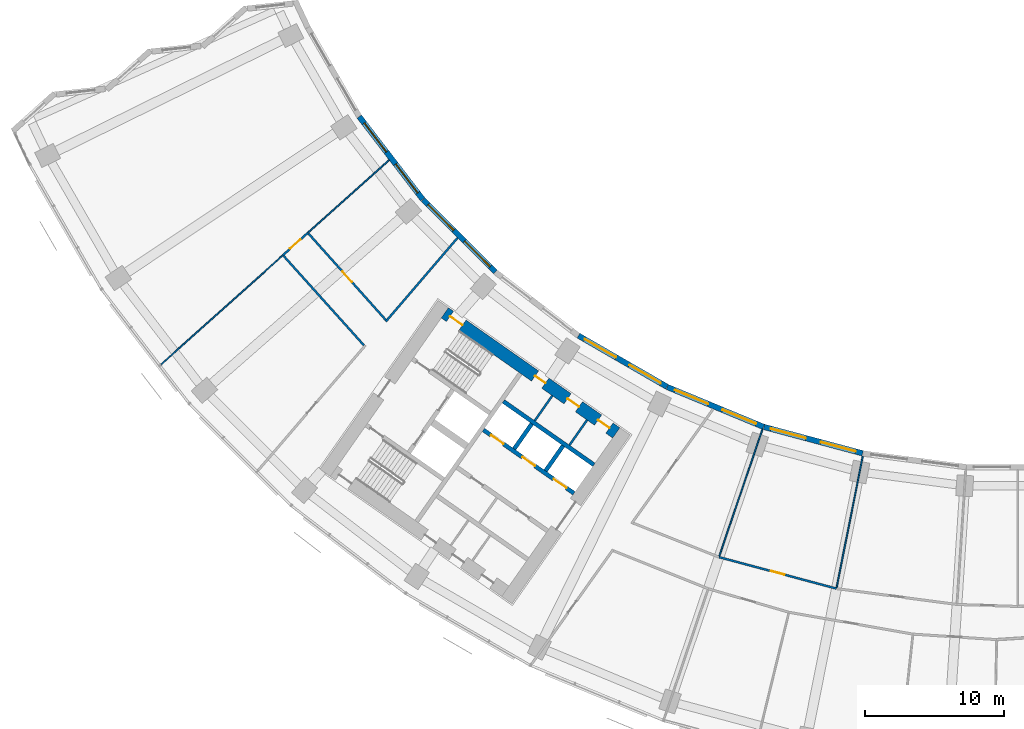
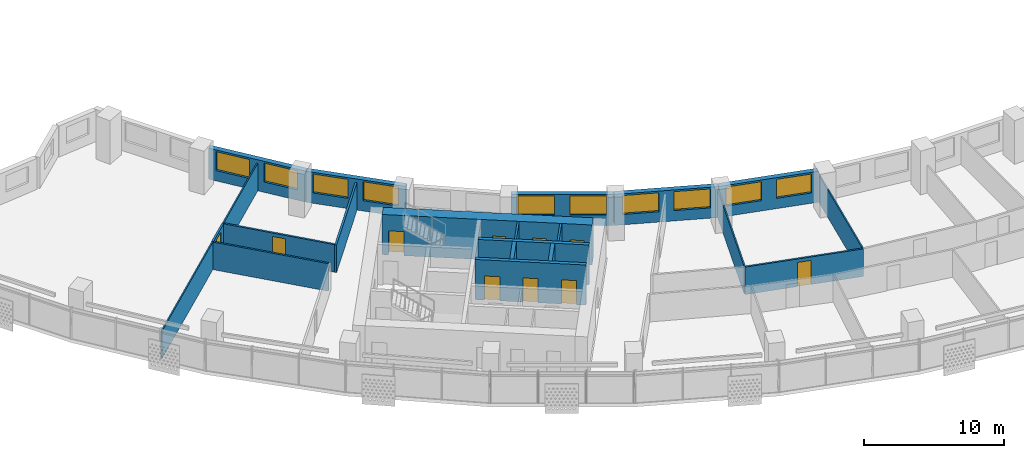
# One storey, part 4 of 29: 21 walls, 10 doors, 10 windows, 20 openings.
"""IFC4 building model written with IfcOpenShell, lengths in metres."""

from ifc_helpers import new_model, si_unit, direction, frame, frame_2d, origin, place, context, subcontext, project, spatial, rectangle, extrude, material, layer, layer_set, type_object, element, fill, save


model = new_model("IFC4")

# Units and contexts
model_context = context("Model", 3, precision=1e-05, world=origin(), true_north=direction((0.0, 1.0)))
body_context = subcontext(model_context, "Body", "Model", "MODEL_VIEW")
ifc_project = project(units=[si_unit("LENGTHUNIT", "METRE"), si_unit("AREAUNIT", "SQUARE_METRE"), si_unit("VOLUMEUNIT", "CUBIC_METRE"), si_unit("PLANEANGLEUNIT", "RADIAN"), si_unit("MASSUNIT", "GRAM", prefix="KILO")], contexts=[model_context])

# Site, building, storey
site_placement = place(None, origin())
site = spatial("IfcSite", under=ifc_project, at=site_placement, CompositionType="ELEMENT")
building_placement = place(site_placement, origin())
building = spatial("IfcBuilding", under=site, at=building_placement, Name="Qamariyya Broadcast Tower", CompositionType="ELEMENT")
storey_placement = place(building_placement, frame((0.0, 0.0, 121.5)))
storey = spatial("IfcBuildingStorey", under=building, at=storey_placement, Name="L27", CompositionType="ELEMENT", Elevation=121.5)

# Wall, openings, doors
ifc_material_1 = material(Name="Concrete C70/85", Category="concrete")
ifc_layer_1 = layer(ifc_material_1, 0.89990234375)
ifc_layer_set_1 = layer_set([ifc_layer_1], Name="Core wall 900 mm Concrete C70/85")
wall_type_1 = type_object("IfcWallType", Name="Core wall 900 mm Concrete C70/85", PredefinedType="SHEAR", material=ifc_layer_set_1)
wall_1_placement = place(storey_placement, frame((-28.8544921875, -54.32421875, 0.0), z_axis=(0.0, 0.0, 1.0), x_axis=(-0.819145767589, 0.573585400304, 0.0)))
wall_1 = element("IfcWall", 1, at=wall_1_placement, inside=storey, type_object=wall_type_1, Name="k-W-L27-WI", PredefinedType="SHEAR", context=body_context, shape_type="SweptSolid", body=[
    extrude(rectangle(XDim=15.04541015625, YDim=0.89990234375, at=frame_2d((7.522705078125, 0.0))), origin(), (0.0, 0.0, 1.0), 3.5),
])
opening_1_placement = place(wall_1_placement, frame((0.60009765625, 0.0, 0.0)))
opening_1 = element("IfcOpeningElement", 2, at=opening_1_placement, cuts=wall_1, Name="Opening KD7-W1", PredefinedType="OPENING", context=body_context, shape_type="SweptSolid", body=[
    extrude(rectangle(XDim=1.0, YDim=2.10009765625, at=frame_2d((0.5, 1.050048828125))), frame((0.0, 0.4599609375, 0.0), z_axis=(0.0, -1.0, 0.0), x_axis=(1.0, 0.0, 0.0)), (0.0, 0.0, 1.0), 0.919921875),
])
opening_2_placement = place(wall_1_placement, frame((3.27490234375, 0.0, 0.0)))
opening_2 = element("IfcOpeningElement", 3, at=opening_2_placement, cuts=wall_1, Name="Opening KD6-W2", PredefinedType="OPENING", context=body_context, shape_type="SweptSolid", body=[
    extrude(rectangle(XDim=1.0, YDim=2.10009765625, at=frame_2d((0.5, 1.050048828125))), frame((0.0, 0.4599609375, 0.0), z_axis=(0.0, -1.0, 0.0), x_axis=(1.0, 0.0, 0.0)), (0.0, 0.0, 1.0), 0.919921875),
])
opening_3_placement = place(wall_1_placement, frame((6.22509765625, 0.0, 0.0)))
opening_3 = element("IfcOpeningElement", 4, at=opening_3_placement, cuts=wall_1, Name="Opening KD5-W1", PredefinedType="OPENING", context=body_context, shape_type="SweptSolid", body=[
    extrude(rectangle(XDim=0.89990234375, YDim=2.10009765625, at=frame_2d((0.449951171875, 1.050048828125))), frame((0.0, 0.4599609375, 0.0), z_axis=(0.0, -1.0, 0.0), x_axis=(1.0, 0.0, 0.0)), (0.0, 0.0, 1.0), 0.919921875),
])
opening_4_placement = place(wall_1_placement, frame((13.495361328125, 0.0, 0.0)))
opening_4 = element("IfcOpeningElement", 5, at=opening_4_placement, cuts=wall_1, Name="Opening KD1-W1", PredefinedType="OPENING", context=body_context, shape_type="SweptSolid", body=[
    extrude(rectangle(XDim=1.10009765625, YDim=2.10009765625, at=frame_2d((0.550048828125, 1.050048828125))), frame((0.0, 0.4599609375, 0.0), z_axis=(0.0, -1.0, 0.0), x_axis=(1.0, 0.0, 0.0)), (0.0, 0.0, 1.0), 0.919921875),
])
ifc_material_2 = material(Name="Steel fire-resisting door leaf", Category="steel")
door_type_1 = type_object("IfcDoorType", Name="Accessible toilet door KD7", OperationType="SINGLE_SWING_LEFT", PredefinedType="DOOR", material=ifc_material_2)
door_1_placement = place(opening_1_placement, origin())
door_1 = element("IfcDoor", 6, at=door_1_placement, inside=storey, type_object=door_type_1, Name="k-W-L27-WI-D7", OperationType="SINGLE_SWING_RIGHT", OverallHeight=2.10009765625, OverallWidth=1.0, PredefinedType="DOOR", context=body_context, shape_type="SweptSolid", body=[
    extrude(rectangle(XDim=1.0, YDim=2.10009765625, at=frame_2d((0.5, 1.050048828125))), frame((0.0, 0.02490234375, 0.0), z_axis=(0.0, -1.0, 0.0), x_axis=(1.0, 0.0, 0.0)), (0.0, 0.0, 1.0), 0.050048828125),
])
fill(opening_1, door_1)
door_type_2 = type_object("IfcDoorType", Name="Core room door KD6", OperationType="SINGLE_SWING_LEFT", PredefinedType="DOOR", material=ifc_material_2)
door_2_placement = place(opening_2_placement, origin())
door_2 = element("IfcDoor", 7, at=door_2_placement, inside=storey, type_object=door_type_2, Name="k-W-L27-WI-D8", OperationType="SINGLE_SWING_LEFT", OverallHeight=2.10009765625, OverallWidth=1.0, PredefinedType="DOOR", context=body_context, shape_type="SweptSolid", body=[
    extrude(rectangle(XDim=1.0, YDim=2.10009765625, at=frame_2d((0.5, 1.050048828125))), frame((0.0, 0.02490234375, 0.0), z_axis=(0.0, -1.0, 0.0), x_axis=(1.0, 0.0, 0.0)), (0.0, 0.0, 1.0), 0.050048828125),
])
fill(opening_2, door_2)
door_type_3 = type_object("IfcDoorType", Name="Stair door KD1", OperationType="SINGLE_SWING_LEFT", PredefinedType="DOOR", material=ifc_material_2)
door_3_placement = place(opening_4_placement, origin())
door_3 = element("IfcDoor", 8, at=door_3_placement, inside=storey, type_object=door_type_3, Name="k-W-L27-WI-D16", OperationType="SINGLE_SWING_RIGHT", OverallHeight=2.10009765625, OverallWidth=1.10009765625, PredefinedType="DOOR", context=body_context, shape_type="SweptSolid", body=[
    extrude(rectangle(XDim=1.10009765625, YDim=2.10009765625, at=frame_2d((0.550048828125, 1.050048828125))), frame((0.0, 0.02490234375, 0.0), z_axis=(0.0, -1.0, 0.0), x_axis=(1.0, 0.0, 0.0)), (0.0, 0.0, 1.0), 0.050048828125),
])
fill(opening_4, door_3)
door_type_4 = type_object("IfcDoorType", Name="Toilet door KD5", OperationType="SINGLE_SWING_LEFT", PredefinedType="DOOR", material=ifc_material_2)
door_4_placement = place(opening_3_placement, origin())
door_4 = element("IfcDoor", 9, at=door_4_placement, inside=storey, type_object=door_type_4, Name="k-W-L27-WI-D9", OperationType="SINGLE_SWING_RIGHT", OverallHeight=2.10009765625, OverallWidth=0.89990234375, PredefinedType="DOOR", context=body_context, shape_type="SweptSolid", body=[
    extrude(rectangle(XDim=0.89990234375, YDim=2.10009765625, at=frame_2d((0.449951171875, 1.050048828125))), frame((0.0, 0.02490234375, 0.0), z_axis=(0.0, -1.0, 0.0), x_axis=(1.0, 0.0, 0.0)), (0.0, 0.0, 1.0), 0.050048828125),
])
fill(opening_3, door_4)

# Wall, opening, door
ifc_material_3 = material(Name="Gypsum board partition")
ifc_layer_2 = layer(ifc_material_3, 0.14990234375)
ifc_layer_set_2 = layer_set([ifc_layer_2], Name="Corridor partition 150 EI 60")
wall_type_2 = type_object("IfcWallType", Name="Corridor partition 150 EI 60", PredefinedType="PARTITIONING", material=ifc_layer_set_2)
wall_2_placement = place(storey_placement, frame((-52.81396484375, -41.551513671875, 0.0), z_axis=(0.0, 0.0, 1.0), x_axis=(0.744484183784, 0.667640097729, 0.0)))
wall_2 = element("IfcWall", 10, at=wall_2_placement, inside=storey, type_object=wall_type_2, Name="Partition L27-002", PredefinedType="PARTITIONING", context=body_context, shape_type="SweptSolid", body=[
    extrude(rectangle(XDim=2.405029296875, YDim=0.14990234375, at=frame_2d((1.20263671875, 0.0))), origin(), (0.0, 0.0, 1.0), 2.39990234375),
])
opening_5_placement = place(wall_2_placement, frame((0.70263671875, 0.0, 0.0)))
opening_5 = element("IfcOpeningElement", 11, at=opening_5_placement, cuts=wall_2, Name="Opening L27-D15", PredefinedType="OPENING", context=body_context, shape_type="SweptSolid", body=[
    extrude(rectangle(XDim=1.0, YDim=2.10009765625, at=frame_2d((0.5, 1.050048828125))), frame((0.0, 0.0849609375, 0.0), z_axis=(0.0, -1.0, 0.0), x_axis=(1.0, 0.0, 0.0)), (0.0, 0.0, 1.0), 0.169921875),
])
ifc_material_4 = material(Name="Timber fire door leaf", Category="wood")
door_type_5 = type_object("IfcDoorType", Name="Fire door 1000 x 2100 FD60", OperationType="NOTDEFINED", PredefinedType="DOOR", material=ifc_material_4)
door_5_placement = place(opening_5_placement, origin())
door_5 = element("IfcDoor", 12, at=door_5_placement, inside=storey, type_object=door_type_5, Name="Door L27-D15", OperationType="SINGLE_SWING_RIGHT", OverallHeight=2.10009765625, OverallWidth=1.0, PredefinedType="DOOR", context=body_context, shape_type="SweptSolid", body=[
    extrude(rectangle(XDim=1.0, YDim=2.10009765625, at=frame_2d((0.5, 1.050048828125))), frame((0.0, 0.02490234375, 0.0), z_axis=(0.0, -1.0, 0.0), x_axis=(1.0, 0.0, 0.0)), (0.0, 0.0, 1.0), 0.050048828125),
])
fill(opening_5, door_5)

# Wall
wall_3_placement = place(storey_placement, frame((-46.98876953125, -48.03369140625, 0.0), z_axis=(0.0, 0.0, 1.0), x_axis=(-0.668407219478, 0.743795528993, 0.0)))
element("IfcWall", 13, at=wall_3_placement, inside=storey, type_object=wall_type_2, Name="Partition L27-005", PredefinedType="PARTITIONING", context=body_context, shape_type="SweptSolid", body=[
    extrude(rectangle(XDim=8.64013671875, YDim=0.14990234375, at=frame_2d((4.320068359375, 0.0))), origin(), (0.0, 0.0, 1.0), 2.39990234375),
])

# Wall, opening, door
wall_4_placement = place(storey_placement, frame((-50.973388671875, -40.001708984375, 0.0), z_axis=(0.0, 0.0, 1.0), x_axis=(0.666630280457, -0.745388535716, 0.0)))
wall_4 = element("IfcWall", 14, at=wall_4_placement, inside=storey, type_object=wall_type_2, Name="Partition L27-006", PredefinedType="PARTITIONING", context=body_context, shape_type="SweptSolid", body=[
    extrude(rectangle(XDim=8.326171875, YDim=0.14990234375, at=frame_2d((4.1630859375, 0.0))), origin(), (0.0, 0.0, 1.0), 2.39990234375),
])
opening_6_placement = place(wall_4_placement, frame((3.6630859375, 0.0, 0.0)))
opening_6 = element("IfcOpeningElement", 15, at=opening_6_placement, cuts=wall_4, Name="Opening L27-D13", PredefinedType="OPENING", context=body_context, shape_type="SweptSolid", body=[
    extrude(rectangle(XDim=1.0, YDim=2.10009765625, at=frame_2d((0.5, 1.050048828125))), frame((0.0, 0.0849609375, 0.0), z_axis=(0.0, -1.0, 0.0), x_axis=(1.0, 0.0, 0.0)), (0.0, 0.0, 1.0), 0.169921875),
])
door_6_placement = place(opening_6_placement, origin())
door_6 = element("IfcDoor", 16, at=door_6_placement, inside=storey, type_object=door_type_5, Name="Door L27-D13", OperationType="SINGLE_SWING_RIGHT", OverallHeight=2.10009765625, OverallWidth=1.0, PredefinedType="DOOR", context=body_context, shape_type="SweptSolid", body=[
    extrude(rectangle(XDim=1.0, YDim=2.10009765625, at=frame_2d((0.5, 1.050048828125))), frame((0.0, 0.02490234375, 0.0), z_axis=(0.0, -1.0, 0.0), x_axis=(1.0, 0.0, 0.0)), (0.0, 0.0, 1.0), 0.050048828125),
])
fill(opening_6, door_6)

# Wall
wall_5_placement = place(storey_placement, frame((-40.267578125, -40.310791015625, 0.0), z_axis=(0.0, 0.0, 1.0), x_axis=(-0.65098181151, -0.759093328309, 0.0)))
element("IfcWall", 17, at=wall_5_placement, inside=storey, type_object=wall_type_2, Name="Partition L27-007", PredefinedType="PARTITIONING", context=body_context, shape_type="SweptSolid", body=[
    extrude(rectangle(XDim=7.917236328125, YDim=0.14990234375, at=frame_2d((3.95849609375, 0.0))), origin(), (0.0, 0.0, 1.0), 2.39990234375),
])

# Wall, opening, door
wall_6_placement = place(storey_placement, frame((-21.47216796875, -63.2548828125, 0.0), z_axis=(0.0, 0.0, 1.0), x_axis=(0.965927722938, -0.258811966607, 0.0)))
wall_6 = element("IfcWall", 18, at=wall_6_placement, inside=storey, type_object=wall_type_2, Name="Partition L27-014", PredefinedType="PARTITIONING", context=body_context, shape_type="SweptSolid", body=[
    extrude(rectangle(XDim=8.73779296875, YDim=0.14990234375, at=frame_2d((4.368896484375, 0.0))), origin(), (0.0, 0.0, 1.0), 2.39990234375),
])
opening_7_placement = place(wall_6_placement, frame((3.868896484375, 0.0, 0.0)))
opening_7 = element("IfcOpeningElement", 19, at=opening_7_placement, cuts=wall_6, Name="Opening L27-D08", PredefinedType="OPENING", context=body_context, shape_type="SweptSolid", body=[
    extrude(rectangle(XDim=1.0, YDim=2.10009765625, at=frame_2d((0.5, 1.050048828125))), frame((0.0, 0.0849609375, 0.0), z_axis=(0.0, -1.0, 0.0), x_axis=(1.0, 0.0, 0.0)), (0.0, 0.0, 1.0), 0.169921875),
])
door_7_placement = place(opening_7_placement, origin())
door_7 = element("IfcDoor", 20, at=door_7_placement, inside=storey, type_object=door_type_5, Name="Door L27-D08", OperationType="SINGLE_SWING_RIGHT", OverallHeight=2.10009765625, OverallWidth=1.0, PredefinedType="DOOR", context=body_context, shape_type="SweptSolid", body=[
    extrude(rectangle(XDim=1.0, YDim=2.10009765625, at=frame_2d((0.5, 1.050048828125))), frame((0.0, 0.02490234375, 0.0), z_axis=(0.0, -1.0, 0.0), x_axis=(1.0, 0.0, 0.0)), (0.0, 0.0, 1.0), 0.050048828125),
])
fill(opening_7, door_7)

# Walls
ifc_material_5 = material(Name="Gypsum board partition on steel studs", Category="steel")
ifc_layer_3 = layer(ifc_material_5, 0.14990234375)
ifc_layer_set_3 = layer_set([ifc_layer_3], Name="Gypsum board partition 150 mm")
wall_type_3 = type_object("IfcWallType", Name="Gypsum board partition 150 mm", PredefinedType="PARTITIONING", material=ifc_layer_set_3)
wall_7_placement = place(storey_placement, frame((-32.2177734375, -55.204345703125, 0.0), z_axis=(0.0, 0.0, 1.0), x_axis=(0.573581496053, 0.819148501424, 0.0)))
element("IfcWall", 21, at=wall_7_placement, inside=storey, type_object=wall_type_3, Name="k-W-L27-NP225", PredefinedType="PARTITIONING", context=body_context, shape_type="SweptSolid", body=[
    extrude(rectangle(XDim=2.2001953125, YDim=0.14990234375, at=frame_2d((1.10009765625, 0.0))), origin(), (0.0, 0.0, 1.0), 3.5),
])
wall_8_placement = place(storey_placement, frame((-34.716064453125, -53.454833984375, 0.0), z_axis=(0.0, 0.0, 1.0), x_axis=(0.573507030513, 0.819200638399, 0.0)))
element("IfcWall", 22, at=wall_8_placement, inside=storey, type_object=wall_type_3, Name="k-W-L27-NP530", PredefinedType="PARTITIONING", context=body_context, shape_type="SweptSolid", body=[
    extrude(rectangle(XDim=2.199951171875, YDim=0.14990234375, at=frame_2d((1.10009765625, 0.0))), origin(), (0.0, 0.0, 1.0), 3.5),
])

# Wall, openings, doors
ifc_material_6 = material(Name="Concrete C60/75", Category="concrete")
ifc_layer_4 = layer(ifc_material_6, 0.300048828125)
ifc_layer_set_4 = layer_set([ifc_layer_4], Name="Lift shaft wall 300 mm Concrete C60/75")
wall_type_4 = type_object("IfcWallType", Name="Lift shaft wall 300 mm Concrete C60/75", PredefinedType="SOLIDWALL", material=ifc_layer_set_4)
wall_9_placement = place(storey_placement, frame((-31.89453125, -58.66552734375, 0.0), z_axis=(0.0, 0.0, 1.0), x_axis=(-0.819166993208, 0.573555086491, 0.0)))
wall_9 = element("IfcWall", 23, at=wall_9_placement, inside=storey, type_object=wall_type_4, Name="k-W-L27-NF0", PredefinedType="SOLIDWALL", context=body_context, shape_type="SweptSolid", body=[
    extrude(rectangle(XDim=7.9501953125, YDim=0.300048828125, at=frame_2d((3.97509765625, 0.0))), origin(), (0.0, 0.0, 1.0), 3.5),
])
opening_8_placement = place(wall_9_placement, frame((0.675048828125, 0.0, 0.0)))
opening_8 = element("IfcOpeningElement", 24, at=opening_8_placement, cuts=wall_9, Name="Opening LD", PredefinedType="OPENING", context=body_context, shape_type="SweptSolid", body=[
    extrude(rectangle(XDim=1.10009765625, YDim=2.10009765625, at=frame_2d((0.550048828125, 1.050048828125))), frame((0.0, 0.159912109375, 0.0), z_axis=(0.0, -1.0, 0.0), x_axis=(1.0, 0.0, 0.0)), (0.0, 0.0, 1.0), 0.320068359375),
])
opening_9_placement = place(wall_9_placement, frame((3.425048828125, 0.0, 0.0)))
opening_9 = element("IfcOpeningElement", 25, at=opening_9_placement, cuts=wall_9, Name="Opening LD", PredefinedType="OPENING", context=body_context, shape_type="SweptSolid", body=[
    extrude(rectangle(XDim=1.10009765625, YDim=2.10009765625, at=frame_2d((0.550048828125, 1.050048828125))), frame((0.0, 0.159912109375, 0.0), z_axis=(0.0, -1.0, 0.0), x_axis=(1.0, 0.0, 0.0)), (0.0, 0.0, 1.0), 0.320068359375),
])
opening_10_placement = place(wall_9_placement, frame((6.175048828125, 0.0, 0.0)))
opening_10 = element("IfcOpeningElement", 26, at=opening_10_placement, cuts=wall_9, Name="Opening LD", PredefinedType="OPENING", context=body_context, shape_type="SweptSolid", body=[
    extrude(rectangle(XDim=1.10009765625, YDim=2.10009765625, at=frame_2d((0.550048828125, 1.050048828125))), frame((0.0, 0.159912109375, 0.0), z_axis=(0.0, -1.0, 0.0), x_axis=(1.0, 0.0, 0.0)), (0.0, 0.0, 1.0), 0.320068359375),
])
door_type_6 = type_object("IfcDoorType", Name="Lift landing door LD", OperationType="DOUBLE_DOOR_SLIDING", PredefinedType="DOOR", material=ifc_material_2)
door_8_placement = place(opening_8_placement, origin())
door_8 = element("IfcDoor", 27, at=door_8_placement, inside=storey, type_object=door_type_6, Name="k-W-L27-NF0-D2", OperationType="DOUBLE_DOOR_SLIDING", OverallHeight=2.10009765625, OverallWidth=1.10009765625, PredefinedType="DOOR", context=body_context, shape_type="SweptSolid", body=[
    extrude(rectangle(XDim=1.10009765625, YDim=2.10009765625, at=frame_2d((0.550048828125, 1.050048828125))), frame((0.0, 0.02490234375, 0.0), z_axis=(0.0, -1.0, 0.0), x_axis=(1.0, 0.0, 0.0)), (0.0, 0.0, 1.0), 0.050048828125),
])
fill(opening_8, door_8)
door_9_placement = place(opening_9_placement, origin())
door_9 = element("IfcDoor", 28, at=door_9_placement, inside=storey, type_object=door_type_6, Name="k-W-L27-NF0-D3", OperationType="DOUBLE_DOOR_SLIDING", OverallHeight=2.10009765625, OverallWidth=1.10009765625, PredefinedType="DOOR", context=body_context, shape_type="SweptSolid", body=[
    extrude(rectangle(XDim=1.10009765625, YDim=2.10009765625, at=frame_2d((0.550048828125, 1.050048828125))), frame((0.0, 0.02490234375, 0.0), z_axis=(0.0, -1.0, 0.0), x_axis=(1.0, 0.0, 0.0)), (0.0, 0.0, 1.0), 0.050048828125),
])
fill(opening_9, door_9)
door_10_placement = place(opening_10_placement, origin())
door_10 = element("IfcDoor", 29, at=door_10_placement, inside=storey, type_object=door_type_6, Name="k-W-L27-NF0-D4", OperationType="DOUBLE_DOOR_SLIDING", OverallHeight=2.10009765625, OverallWidth=1.10009765625, PredefinedType="DOOR", context=body_context, shape_type="SweptSolid", body=[
    extrude(rectangle(XDim=1.10009765625, YDim=2.10009765625, at=frame_2d((0.550048828125, 1.050048828125))), frame((0.0, 0.02490234375, 0.0), z_axis=(0.0, -1.0, 0.0), x_axis=(1.0, 0.0, 0.0)), (0.0, 0.0, 1.0), 0.050048828125),
])
fill(opening_10, door_10)

# Walls
wall_10_placement = place(storey_placement, frame((-30.460693359375, -56.61767578125, 0.0), z_axis=(0.0, 0.0, 1.0), x_axis=(-0.819142461705, 0.573590121456, 0.0)))
element("IfcWall", 30, at=wall_10_placement, inside=storey, type_object=wall_type_4, Name="k-W-L27-NB0", PredefinedType="SOLIDWALL", context=body_context, shape_type="SweptSolid", body=[
    extrude(rectangle(XDim=7.949951171875, YDim=0.300048828125, at=frame_2d((3.97509765625, 0.0))), origin(), (0.0, 0.0, 1.0), 3.5),
])
wall_11_placement = place(storey_placement, frame((-33.9384765625, -57.051513671875, 0.0), z_axis=(0.0, 0.0, 1.0), x_axis=(0.573581496053, 0.819148501424, 0.0)))
element("IfcWall", 31, at=wall_11_placement, inside=storey, type_object=wall_type_4, Name="k-W-L27-ND0", PredefinedType="SOLIDWALL", context=body_context, shape_type="SweptSolid", body=[
    extrude(rectangle(XDim=2.2001953125, YDim=0.300048828125, at=frame_2d((1.10009765625, 0.0))), origin(), (0.0, 0.0, 1.0), 3.5),
])
wall_12_placement = place(storey_placement, frame((-36.19091796875, -55.47412109375, 0.0), z_axis=(0.0, 0.0, 1.0), x_axis=(0.573507030513, 0.819200638399, 0.0)))
element("IfcWall", 32, at=wall_12_placement, inside=storey, type_object=wall_type_4, Name="k-W-L27-ND1", PredefinedType="SOLIDWALL", context=body_context, shape_type="SweptSolid", body=[
    extrude(rectangle(XDim=2.199951171875, YDim=0.300048828125, at=frame_2d((1.10009765625, 0.0))), origin(), (0.0, 0.0, 1.0), 3.5),
])
ifc_layer_5 = layer(ifc_material_3, 0.10009765625)
ifc_layer_set_5 = layer_set([ifc_layer_5], Name="Partition 100")
wall_type_5 = type_object("IfcWallType", Name="Partition 100", PredefinedType="PARTITIONING", material=ifc_layer_set_5)
wall_13_placement = place(storey_placement, frame((-61.576904296875, -49.409423828125, 0.0), z_axis=(0.0, 0.0, 1.0), x_axis=(0.744506868351, 0.667614801347, 0.0)))
element("IfcWall", 33, at=wall_13_placement, inside=storey, type_object=wall_type_5, Name="Partition L27-001", PredefinedType="PARTITIONING", context=body_context, shape_type="SweptSolid", body=[
    extrude(rectangle(XDim=11.77001953125, YDim=0.10009765625, at=frame_2d((5.885009765625, 0.0))), origin(), (0.0, 0.0, 1.0), 2.39990234375),
])
wall_14_placement = place(storey_placement, frame((-51.0234375, -39.94580078125, 0.0), z_axis=(0.0, 0.0, 1.0), x_axis=(0.744506479511, 0.667615234972, 0.0)))
element("IfcWall", 34, at=wall_14_placement, inside=storey, type_object=wall_type_5, Name="Partition L27-003", PredefinedType="PARTITIONING", context=body_context, shape_type="SweptSolid", body=[
    extrude(rectangle(XDim=7.842529296875, YDim=0.10009765625, at=frame_2d((3.92138671875, 0.0))), origin(), (0.0, 0.0, 1.0), 2.39990234375),
])
for number, where, z_axis, x_axis, name in (
    (35, (-18.354248046875, -54.06982421875, 0.0), (0.0, 0.0, 1.0), (-0.321435668314, -0.946931418391, 0.0), "Partition L27-016"),
    (36, (-11.1396484375, -56.0029296875, 0.0), (0.0, 0.0, 1.0), (-0.195086769421, -0.980785987052, 0.0), "Partition L27-019"),
):
    element("IfcWall", number, at=place(storey_placement, frame(where, z_axis=z_axis, x_axis=x_axis)), inside=storey, type_object=wall_type_5, Name=name, PredefinedType="PARTITIONING", context=body_context, shape_type="SweptSolid", body=[
        extrude(rectangle(XDim=9.624755859375, YDim=0.10009765625, at=frame_2d((4.8125, 0.0))), origin(), (0.0, 0.0, 1.0), 2.39990234375),
    ])

# Wall, openings, windows
ifc_material_7 = material(Name="Terracotta", Category="masonry")
ifc_layer_6 = layer(ifc_material_7, 0.39990234375)
ifc_layer_set_6 = layer_set([ifc_layer_6], Name="Terracotta clad wall 400")
wall_type_6 = type_object("IfcWallType", Name="Terracotta clad wall 400", PredefinedType="SOLIDWALL", material=ifc_layer_set_6)
wall_15_placement = place(storey_placement, frame((-42.764892578125, -37.536865234375, 0.0), z_axis=(0.0, 0.0, 1.0), x_axis=(-0.608748204711, 0.793363487476, 0.0)))
wall_15 = element("IfcWall", 37, at=wall_15_placement, inside=storey, type_object=wall_type_6, Name="e-wl-L27-in20", PredefinedType="SOLIDWALL", context=body_context, shape_type="SweptSolid", body=[
    extrude(rectangle(XDim=7.492919921875, YDim=0.39990234375, at=frame_2d((3.74658203125, 0.0))), origin(), (0.0, 0.0, 1.0), 2.699951171875),
])
opening_11_placement = place(wall_15_placement, frame((4.300537109375, 0.0, 0.89990234375)))
opening_11 = element("IfcOpeningElement", 38, at=opening_11_placement, cuts=wall_15, Name="Opening W1", PredefinedType="OPENING", context=body_context, shape_type="SweptSolid", body=[
    extrude(rectangle(XDim=2.60009765625, YDim=1.64990234375, at=frame_2d((1.300048828125, 0.824951171875))), frame((0.0, 0.2099609375, 0.0), z_axis=(0.0, -1.0, 0.0), x_axis=(1.0, 0.0, 0.0)), (0.0, 0.0, 1.0), 0.419921875),
])
opening_12_placement = place(wall_15_placement, frame((0.59228515625, 0.0, 0.89990234375)))
opening_12 = element("IfcOpeningElement", 39, at=opening_12_placement, cuts=wall_15, Name="Opening W1", PredefinedType="OPENING", context=body_context, shape_type="SweptSolid", body=[
    extrude(rectangle(XDim=2.60009765625, YDim=1.64990234375, at=frame_2d((1.300048828125, 0.824951171875))), frame((0.0, 0.2099609375, 0.0), z_axis=(0.0, -1.0, 0.0), x_axis=(1.0, 0.0, 0.0)), (0.0, 0.0, 1.0), 0.419921875),
])
ifc_material_8 = material(Name="Clear low-e double glazed unit in aluminium frame", Category="aluminium")
window_type = type_object("IfcWindowType", Name="Ribbon window 2600 x 1650", PartitioningType="SINGLE_PANEL", PredefinedType="WINDOW", material=ifc_material_8)
window_1_placement = place(opening_11_placement, origin())
window_1 = element("IfcWindow", 40, at=window_1_placement, inside=storey, type_object=window_type, Name="e-w-L27-in02-0", OverallHeight=1.64990234375, OverallWidth=2.60009765625, PartitioningType="SINGLE_PANEL", PredefinedType="WINDOW", context=body_context, shape_type="SweptSolid", body=[
    extrude(rectangle(XDim=2.60009765625, YDim=1.64990234375, at=frame_2d((1.300048828125, 0.824951171875))), frame((0.0, 0.030029296875, 0.0), z_axis=(0.0, -1.0, 0.0), x_axis=(1.0, 0.0, 0.0)), (0.0, 0.0, 1.0), 0.06005859375),
])
fill(opening_11, window_1)
window_2_placement = place(opening_12_placement, origin())
window_2 = element("IfcWindow", 41, at=window_2_placement, inside=storey, type_object=window_type, Name="e-w-L27-in02-1", OverallHeight=1.64990234375, OverallWidth=2.60009765625, PartitioningType="SINGLE_PANEL", PredefinedType="WINDOW", context=body_context, shape_type="SweptSolid", body=[
    extrude(rectangle(XDim=2.60009765625, YDim=1.64990234375, at=frame_2d((1.300048828125, 0.824951171875))), frame((0.0, 0.030029296875, 0.0), z_axis=(0.0, -1.0, 0.0), x_axis=(1.0, 0.0, 0.0)), (0.0, 0.0, 1.0), 0.06005859375),
])
fill(opening_12, window_2)

wall_16_placement = place(storey_placement, frame((-37.552978515625, -42.744140625, 0.0), z_axis=(0.0, 0.0, 1.0), x_axis=(-0.707106781187, 0.707106781187, 0.0)))
wall_16 = element("IfcWall", 42, at=wall_16_placement, inside=storey, type_object=wall_type_6, Name="e-wl-L27-in30", PredefinedType="SOLIDWALL", context=body_context, shape_type="SweptSolid", body=[
    extrude(rectangle(XDim=7.34130859375, YDim=0.39990234375, at=frame_2d((3.670654296875, 0.0))), origin(), (0.0, 0.0, 1.0), 2.699951171875),
])
opening_13_placement = place(wall_16_placement, frame((4.224853515625, 0.0, 0.89990234375)))
opening_13 = element("IfcOpeningElement", 43, at=opening_13_placement, cuts=wall_16, Name="Opening W1", PredefinedType="OPENING", context=body_context, shape_type="SweptSolid", body=[
    extrude(rectangle(XDim=2.60009765625, YDim=1.64990234375, at=frame_2d((1.300048828125, 0.824951171875))), frame((0.0, 0.2099609375, 0.0), z_axis=(0.0, -1.0, 0.0), x_axis=(1.0, 0.0, 0.0)), (0.0, 0.0, 1.0), 0.419921875),
])
opening_14_placement = place(wall_16_placement, frame((0.5166015625, 0.0, 0.89990234375)))
opening_14 = element("IfcOpeningElement", 44, at=opening_14_placement, cuts=wall_16, Name="Opening W1", PredefinedType="OPENING", context=body_context, shape_type="SweptSolid", body=[
    extrude(rectangle(XDim=2.60009765625, YDim=1.64990234375, at=frame_2d((1.300048828125, 0.824951171875))), frame((0.0, 0.2099609375, 0.0), z_axis=(0.0, -1.0, 0.0), x_axis=(1.0, 0.0, 0.0)), (0.0, 0.0, 1.0), 0.419921875),
])
window_3_placement = place(opening_13_placement, origin())
window_3 = element("IfcWindow", 45, at=window_3_placement, inside=storey, type_object=window_type, Name="e-w-L27-in03-0", OverallHeight=1.64990234375, OverallWidth=2.60009765625, PartitioningType="SINGLE_PANEL", PredefinedType="WINDOW", context=body_context, shape_type="SweptSolid", body=[
    extrude(rectangle(XDim=2.60009765625, YDim=1.64990234375, at=frame_2d((1.300048828125, 0.824951171875))), frame((0.0, 0.030029296875, 0.0), z_axis=(0.0, -1.0, 0.0), x_axis=(1.0, 0.0, 0.0)), (0.0, 0.0, 1.0), 0.06005859375),
])
fill(opening_13, window_3)
window_4_placement = place(opening_14_placement, origin())
window_4 = element("IfcWindow", 46, at=window_4_placement, inside=storey, type_object=window_type, Name="e-w-L27-in03-1", OverallHeight=1.64990234375, OverallWidth=2.60009765625, PartitioningType="SINGLE_PANEL", PredefinedType="WINDOW", context=body_context, shape_type="SweptSolid", body=[
    extrude(rectangle(XDim=2.60009765625, YDim=1.64990234375, at=frame_2d((1.300048828125, 0.824951171875))), frame((0.0, 0.030029296875, 0.0), z_axis=(0.0, -1.0, 0.0), x_axis=(1.0, 0.0, 0.0)), (0.0, 0.0, 1.0), 0.06005859375),
])
fill(opening_14, window_4)

wall_17_placement = place(storey_placement, frame((-25.21044921875, -51.007080078125, 0.0), z_axis=(0.0, 0.0, 1.0), x_axis=(-0.866030525931, 0.499991128077, 0.0)))
wall_17 = element("IfcWall", 47, at=wall_17_placement, inside=storey, type_object=wall_type_6, Name="e-wl-L27-in50", PredefinedType="SOLIDWALL", context=body_context, shape_type="SweptSolid", body=[
    extrude(rectangle(XDim=7.341552734375, YDim=0.39990234375, at=frame_2d((3.6708984375, 0.0))), origin(), (0.0, 0.0, 1.0), 2.699951171875),
])
opening_15_placement = place(wall_17_placement, frame((4.224853515625, 0.0, 0.89990234375)))
opening_15 = element("IfcOpeningElement", 48, at=opening_15_placement, cuts=wall_17, Name="Opening W1", PredefinedType="OPENING", context=body_context, shape_type="SweptSolid", body=[
    extrude(rectangle(XDim=2.60009765625, YDim=1.64990234375, at=frame_2d((1.300048828125, 0.824951171875))), frame((0.0, 0.2099609375, 0.0), z_axis=(0.0, -1.0, 0.0), x_axis=(1.0, 0.0, 0.0)), (0.0, 0.0, 1.0), 0.419921875),
])
opening_16_placement = place(wall_17_placement, frame((0.5166015625, 0.0, 0.89990234375)))
opening_16 = element("IfcOpeningElement", 49, at=opening_16_placement, cuts=wall_17, Name="Opening W1", PredefinedType="OPENING", context=body_context, shape_type="SweptSolid", body=[
    extrude(rectangle(XDim=2.60009765625, YDim=1.64990234375, at=frame_2d((1.300048828125, 0.824951171875))), frame((0.0, 0.2099609375, 0.0), z_axis=(0.0, -1.0, 0.0), x_axis=(1.0, 0.0, 0.0)), (0.0, 0.0, 1.0), 0.419921875),
])
window_5_placement = place(opening_15_placement, origin())
window_5 = element("IfcWindow", 50, at=window_5_placement, inside=storey, type_object=window_type, Name="e-w-L27-in05-0", OverallHeight=1.64990234375, OverallWidth=2.60009765625, PartitioningType="SINGLE_PANEL", PredefinedType="WINDOW", context=body_context, shape_type="SweptSolid", body=[
    extrude(rectangle(XDim=2.60009765625, YDim=1.64990234375, at=frame_2d((1.300048828125, 0.824951171875))), frame((0.0, 0.030029296875, 0.0), z_axis=(0.0, -1.0, 0.0), x_axis=(1.0, 0.0, 0.0)), (0.0, 0.0, 1.0), 0.06005859375),
])
fill(opening_15, window_5)
window_6_placement = place(opening_16_placement, origin())
window_6 = element("IfcWindow", 51, at=window_6_placement, inside=storey, type_object=window_type, Name="e-w-L27-in05-1", OverallHeight=1.64990234375, OverallWidth=2.60009765625, PartitioningType="SINGLE_PANEL", PredefinedType="WINDOW", context=body_context, shape_type="SweptSolid", body=[
    extrude(rectangle(XDim=2.60009765625, YDim=1.64990234375, at=frame_2d((1.300048828125, 0.824951171875))), frame((0.0, 0.030029296875, 0.0), z_axis=(0.0, -1.0, 0.0), x_axis=(1.0, 0.0, 0.0)), (0.0, 0.0, 1.0), 0.06005859375),
])
fill(opening_16, window_6)

wall_18_placement = place(storey_placement, frame((-18.266845703125, -53.890380859375, 0.0), z_axis=(0.0, 0.0, 1.0), x_axis=(-0.923879826967, 0.382682721486, 0.0)))
wall_18 = element("IfcWall", 52, at=wall_18_placement, inside=storey, type_object=wall_type_6, Name="e-wl-L27-in60", PredefinedType="SOLIDWALL", context=body_context, shape_type="SweptSolid", body=[
    extrude(rectangle(XDim=7.492919921875, YDim=0.39990234375, at=frame_2d((3.74658203125, 0.0))), origin(), (0.0, 0.0, 1.0), 2.699951171875),
])
opening_17_placement = place(wall_18_placement, frame((4.300537109375, 0.0, 0.89990234375)))
opening_17 = element("IfcOpeningElement", 53, at=opening_17_placement, cuts=wall_18, Name="Opening W1", PredefinedType="OPENING", context=body_context, shape_type="SweptSolid", body=[
    extrude(rectangle(XDim=2.60009765625, YDim=1.64990234375, at=frame_2d((1.300048828125, 0.824951171875))), frame((0.0, 0.2099609375, 0.0), z_axis=(0.0, -1.0, 0.0), x_axis=(1.0, 0.0, 0.0)), (0.0, 0.0, 1.0), 0.419921875),
])
opening_18_placement = place(wall_18_placement, frame((0.59228515625, 0.0, 0.89990234375)))
opening_18 = element("IfcOpeningElement", 54, at=opening_18_placement, cuts=wall_18, Name="Opening W1", PredefinedType="OPENING", context=body_context, shape_type="SweptSolid", body=[
    extrude(rectangle(XDim=2.60009765625, YDim=1.64990234375, at=frame_2d((1.300048828125, 0.824951171875))), frame((0.0, 0.2099609375, 0.0), z_axis=(0.0, -1.0, 0.0), x_axis=(1.0, 0.0, 0.0)), (0.0, 0.0, 1.0), 0.419921875),
])
window_7_placement = place(opening_17_placement, origin())
window_7 = element("IfcWindow", 55, at=window_7_placement, inside=storey, type_object=window_type, Name="e-w-L27-in06-0", OverallHeight=1.64990234375, OverallWidth=2.60009765625, PartitioningType="SINGLE_PANEL", PredefinedType="WINDOW", context=body_context, shape_type="SweptSolid", body=[
    extrude(rectangle(XDim=2.60009765625, YDim=1.64990234375, at=frame_2d((1.300048828125, 0.824951171875))), frame((0.0, 0.030029296875, 0.0), z_axis=(0.0, -1.0, 0.0), x_axis=(1.0, 0.0, 0.0)), (0.0, 0.0, 1.0), 0.06005859375),
])
fill(opening_17, window_7)
window_8_placement = place(opening_18_placement, origin())
window_8 = element("IfcWindow", 56, at=window_8_placement, inside=storey, type_object=window_type, Name="e-w-L27-in06-1", OverallHeight=1.64990234375, OverallWidth=2.60009765625, PartitioningType="SINGLE_PANEL", PredefinedType="WINDOW", context=body_context, shape_type="SweptSolid", body=[
    extrude(rectangle(XDim=2.60009765625, YDim=1.64990234375, at=frame_2d((1.300048828125, 0.824951171875))), frame((0.0, 0.030029296875, 0.0), z_axis=(0.0, -1.0, 0.0), x_axis=(1.0, 0.0, 0.0)), (0.0, 0.0, 1.0), 0.06005859375),
])
fill(opening_18, window_8)

wall_19_placement = place(storey_placement, frame((-11.149658203125, -55.7939453125, 0.0), z_axis=(0.0, 0.0, 1.0), x_axis=(-0.965924597867, 0.258823629594, 0.0)))
wall_19 = element("IfcWall", 57, at=wall_19_placement, inside=storey, type_object=wall_type_6, Name="e-wl-L27-in70", PredefinedType="SOLIDWALL", context=body_context, shape_type="SweptSolid", body=[
    extrude(rectangle(XDim=7.341552734375, YDim=0.39990234375, at=frame_2d((3.6708984375, 0.0))), origin(), (0.0, 0.0, 1.0), 2.699951171875),
])
opening_19_placement = place(wall_19_placement, frame((4.224853515625, 0.0, 0.89990234375)))
opening_19 = element("IfcOpeningElement", 58, at=opening_19_placement, cuts=wall_19, Name="Opening W1", PredefinedType="OPENING", context=body_context, shape_type="SweptSolid", body=[
    extrude(rectangle(XDim=2.60009765625, YDim=1.64990234375, at=frame_2d((1.300048828125, 0.824951171875))), frame((0.0, 0.2099609375, 0.0), z_axis=(0.0, -1.0, 0.0), x_axis=(1.0, 0.0, 0.0)), (0.0, 0.0, 1.0), 0.419921875),
])
opening_20_placement = place(wall_19_placement, frame((0.5166015625, 0.0, 0.89990234375)))
opening_20 = element("IfcOpeningElement", 59, at=opening_20_placement, cuts=wall_19, Name="Opening W1", PredefinedType="OPENING", context=body_context, shape_type="SweptSolid", body=[
    extrude(rectangle(XDim=2.60009765625, YDim=1.64990234375, at=frame_2d((1.300048828125, 0.824951171875))), frame((0.0, 0.2099609375, 0.0), z_axis=(0.0, -1.0, 0.0), x_axis=(1.0, 0.0, 0.0)), (0.0, 0.0, 1.0), 0.419921875),
])
window_9_placement = place(opening_19_placement, origin())
window_9 = element("IfcWindow", 60, at=window_9_placement, inside=storey, type_object=window_type, Name="e-w-L27-in07-0", OverallHeight=1.64990234375, OverallWidth=2.60009765625, PartitioningType="SINGLE_PANEL", PredefinedType="WINDOW", context=body_context, shape_type="SweptSolid", body=[
    extrude(rectangle(XDim=2.60009765625, YDim=1.64990234375, at=frame_2d((1.300048828125, 0.824951171875))), frame((0.0, 0.030029296875, 0.0), z_axis=(0.0, -1.0, 0.0), x_axis=(1.0, 0.0, 0.0)), (0.0, 0.0, 1.0), 0.06005859375),
])
fill(opening_19, window_9)
window_10_placement = place(opening_20_placement, origin())
window_10 = element("IfcWindow", 61, at=window_10_placement, inside=storey, type_object=window_type, Name="e-w-L27-in07-1", OverallHeight=1.64990234375, OverallWidth=2.60009765625, PartitioningType="SINGLE_PANEL", PredefinedType="WINDOW", context=body_context, shape_type="SweptSolid", body=[
    extrude(rectangle(XDim=2.60009765625, YDim=1.64990234375, at=frame_2d((1.300048828125, 0.824951171875))), frame((0.0, 0.030029296875, 0.0), z_axis=(0.0, -1.0, 0.0), x_axis=(1.0, 0.0, 0.0)), (0.0, 0.0, 1.0), 0.06005859375),
])
fill(opening_20, window_10)

save(model, "model.ifc")
